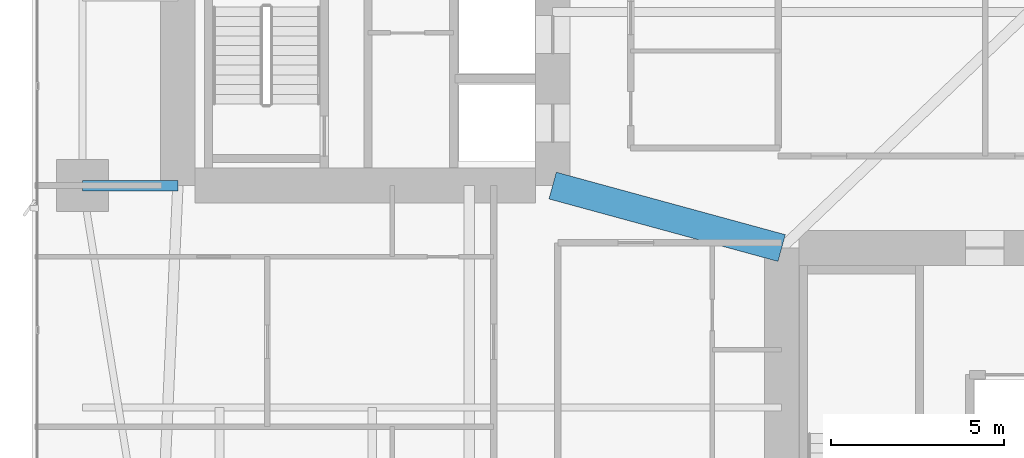
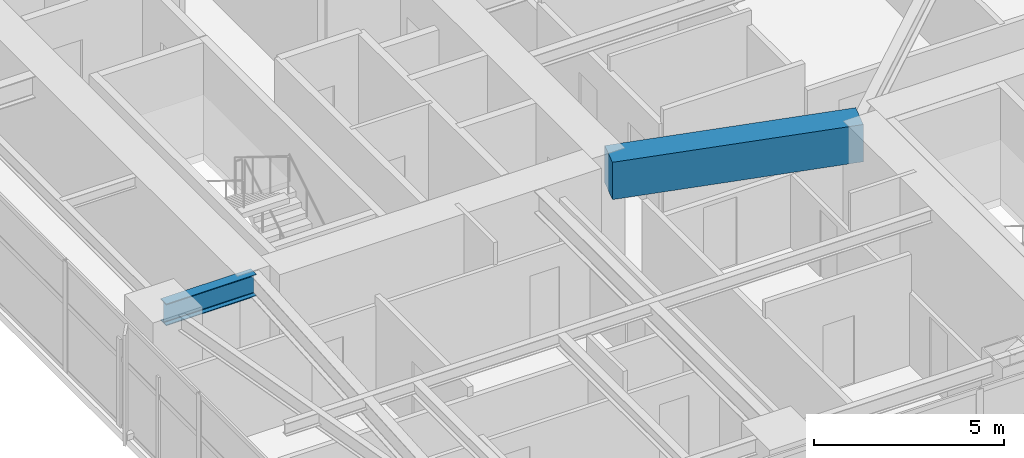
# One storey, part 7 of 29: 2 beams.
"""IFC4 building model written with IfcOpenShell, lengths in metres."""

from ifc_helpers import new_model, si_unit, direction, frame, origin, origin_2d, place, context, subcontext, project, spatial, rectangle, i_section, extrude, material, material_profile, profile_set, type_object, element, save


model = new_model("IFC4")

# Units and contexts
model_context = context("Model", 3, precision=1e-05, world=origin(), true_north=direction((0.0, 1.0)))
body_context = subcontext(model_context, "Body", "Model", "MODEL_VIEW")
ifc_project = project(units=[si_unit("LENGTHUNIT", "METRE"), si_unit("AREAUNIT", "SQUARE_METRE"), si_unit("VOLUMEUNIT", "CUBIC_METRE"), si_unit("PLANEANGLEUNIT", "RADIAN"), si_unit("MASSUNIT", "GRAM", prefix="KILO")], contexts=[model_context])

# Site, building, storey
site_placement = place(None, origin())
site = spatial("IfcSite", under=ifc_project, at=site_placement, CompositionType="ELEMENT")
building_placement = place(site_placement, origin())
building = spatial("IfcBuilding", under=site, at=building_placement, Name="Calvorn Quay Hotel", CompositionType="ELEMENT")
storey_placement = place(building_placement, frame((0.0, 0.0, 62.199951171875)))
storey = spatial("IfcBuildingStorey", under=building, at=storey_placement, Name="L14", CompositionType="ELEMENT", Elevation=62.199951171875)

# Beams
ifc_material_1 = material(Name="Steel Q390GJC", Category="steel")
ifc_material_profile_1 = material_profile(ifc_material_1, i_section(OverallWidth=0.300048828125, OverallDepth=0.699951171875, WebThickness=0.012939453125, FlangeThickness=0.02392578125, FilletRadius=0.02392578125, at=origin_2d()), Name="HN700x300x13x24")
ifc_profile_set_1 = profile_set([ifc_material_profile_1], Name="Steel Q390GJC")
beam_type_1 = type_object("IfcBeamType", Name="BM-GIRD-MAIN", PredefinedType="BEAM", material=ifc_profile_set_1)
beam_1_placement = place(storey_placement, frame((1.449951171875, 16.800048828125, 3.18994140625), z_axis=(1.0, 0.0, 0.0), x_axis=(0.0, 1.0, 0.0)))
element("IfcBeam", 1, at=beam_1_placement, inside=storey, type_object=beam_type_1, Name="Beam BG-L14-W1", PredefinedType="BEAM", context=body_context, shape_type="SweptSolid", body=[
    extrude(i_section(OverallWidth=0.300048828125, OverallDepth=0.699951171875, WebThickness=0.012939453125, FlangeThickness=0.02392578125, FilletRadius=0.02392578125, at=origin_2d()), origin(), (0.0, 0.0, 1.0), 2.75),
])
ifc_material_2 = material(Name="Concrete C60", Category="concrete")
ifc_material_profile_2 = material_profile(ifc_material_2, rectangle(XDim=0.800048828125, YDim=1.199951171875, at=origin_2d()), Name="RCB800x1200")
ifc_profile_set_2 = profile_set([ifc_material_profile_2], Name="Concrete C60")
beam_type_2 = type_object("IfcBeamType", Name="BM-RC-LINK-800x1200", PredefinedType="BEAM", material=ifc_profile_set_2)
beam_2_placement = place(storey_placement, frame((15.0, 16.800048828125, 2.93994140625), z_axis=(0.964762997686, -0.263120425462, 0.0), x_axis=(0.263120425462, 0.964762997686, 0.0)))
element("IfcBeam", 2, at=beam_2_placement, inside=storey, type_object=beam_type_2, Name="Beam BCL-L14-01", PredefinedType="BEAM", context=body_context, shape_type="SweptSolid", body=[
    extrude(rectangle(XDim=0.800048828125, YDim=1.199951171875, at=origin_2d()), origin(), (0.0, 0.0, 1.0), 6.841064453125),
])

save(model, "model.ifc")
